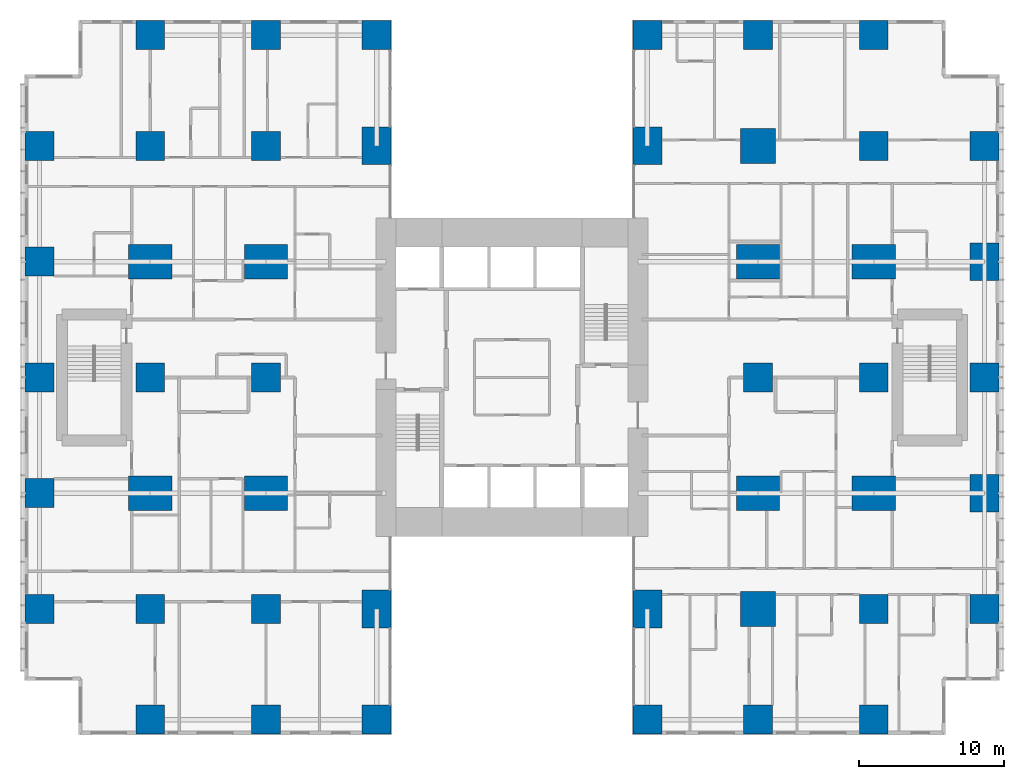
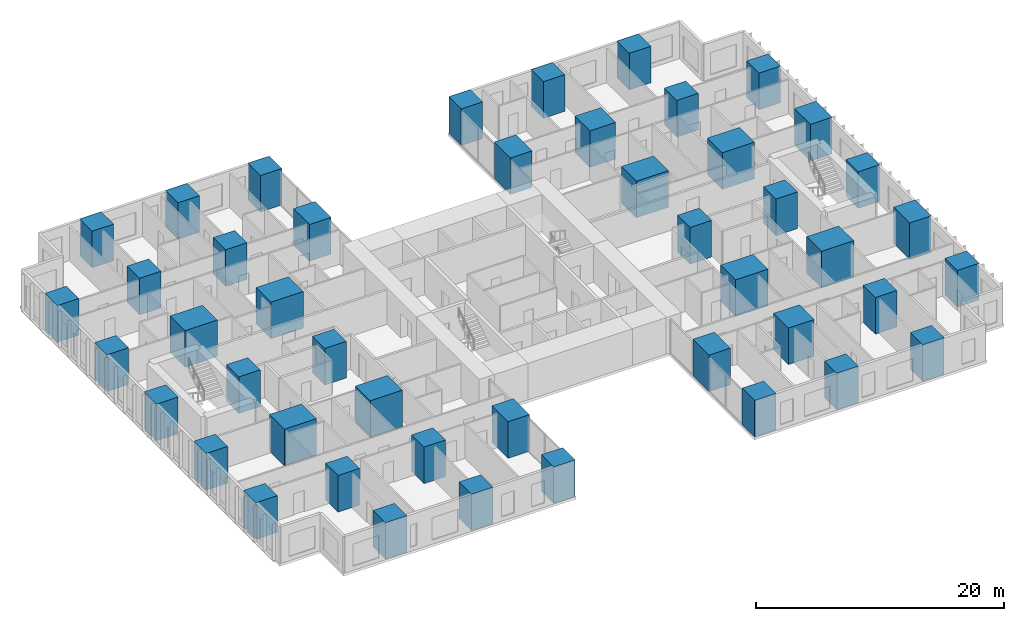
# One storey, part 1 of 21: 46 columns.
"""IFC4 building model written with IfcOpenShell, lengths in metres."""

from ifc_helpers import new_model, si_unit, direction, frame, origin, origin_2d, place, context, subcontext, project, spatial, rectangle, extrude, material, material_profile, profile_set, type_object, element, save


model = new_model("IFC4")

# Units and contexts
model_context = context("Model", 3, precision=1e-05, world=origin(), true_north=direction((0.0, 1.0)))
body_context = subcontext(model_context, "Body", "Model", "MODEL_VIEW")
ifc_project = project(units=[si_unit("LENGTHUNIT", "METRE"), si_unit("AREAUNIT", "SQUARE_METRE"), si_unit("VOLUMEUNIT", "CUBIC_METRE"), si_unit("PLANEANGLEUNIT", "RADIAN"), si_unit("MASSUNIT", "GRAM", prefix="KILO")], contexts=[model_context])

# Site, building, storey
site_placement = place(None, origin())
site = spatial("IfcSite", under=ifc_project, at=site_placement, CompositionType="ELEMENT")
building_placement = place(site_placement, origin())
building = spatial("IfcBuilding", under=site, at=building_placement, Name="Cleftline Residences", CompositionType="ELEMENT")
storey_placement = place(building_placement, frame((0.0, 0.0, 128.60009765625)))
storey = spatial("IfcBuildingStorey", under=building, at=storey_placement, Name="L33", CompositionType="ELEMENT", Elevation=128.60009765625)

# Columns
ifc_material_1 = material(Name="Concrete B70", Category="concrete")
ifc_material_profile_1 = material_profile(ifc_material_1, rectangle(XDim=2.0, YDim=2.0, at=origin_2d()))
ifc_profile_set_1 = profile_set([ifc_material_profile_1], Name="Concrete B70")
column_type_1 = type_object("IfcColumnType", Name="COLUMN RC2000X2000", PredefinedType="COLUMN", material=ifc_profile_set_1)
for number, where, z_axis, x_axis, name in (
    (1, (0.35009765625, 8.0, 0.0), (0.0, 0.0, 1.0), (1.0, 0.0, 0.0), "Column D/3"),
    (2, (0.35009765625, 16.0, 0.0), (0.0, 0.0, 1.0), (1.0, 0.0, 0.0), "Column E/3"),
    (3, (0.35009765625, 24.0, 0.0), (0.0, 0.0, 1.0), (1.0, 0.0, 0.0), "Column F/3"),
    (4, (0.35009765625, 32.0, 0.0), (0.0, 0.0, 1.0), (1.0, 0.0, 0.0), "Column G/3"),
    (5, (0.35009765625, 40.0, 0.0), (0.0, 0.0, 1.0), (1.0, 0.0, 0.0), "Column H/3"),
    (6, (8.0, 0.35009765625, 0.0), (0.0, 0.0, 1.0), (1.0, 0.0, 0.0), "Column C/4"),
    (7, (8.0, 8.0, 0.0), (0.0, 0.0, 1.0), (1.0, 0.0, 0.0), "Column D/4"),
    (8, (8.0, 24.0, 0.0), (0.0, 0.0, 1.0), (1.0, 0.0, 0.0), "Column F/4"),
    (9, (8.0, 40.0, 0.0), (0.0, 0.0, 1.0), (1.0, 0.0, 0.0), "Column H/4"),
    (10, (8.0, 47.64990234375, 0.0), (0.0, 0.0, 1.0), (1.0, 0.0, 0.0), "Column J/4"),
    (11, (16.0, 0.35009765625, 0.0), (0.0, 0.0, 1.0), (1.0, 0.0, 0.0), "Column C/5"),
    (12, (16.0, 8.0, 0.0), (0.0, 0.0, 1.0), (1.0, 0.0, 0.0), "Column D/5"),
    (13, (16.0, 24.0, 0.0), (0.0, 0.0, 1.0), (1.0, 0.0, 0.0), "Column F/5"),
    (14, (16.0, 40.0, 0.0), (0.0, 0.0, 1.0), (1.0, 0.0, 0.0), "Column H/5"),
    (15, (16.0, 47.64990234375, 0.0), (0.0, 0.0, 1.0), (1.0, 0.0, 0.0), "Column J/5"),
    (16, (23.64990234375, 0.35009765625, 0.0), (0.0, 0.0, 1.0), (1.0, 0.0, 0.0), "Column C/6"),
    (17, (23.64990234375, 47.64990234375, 0.0), (0.0, 0.0, 1.0), (1.0, 0.0, 0.0), "Column J/6"),
    (18, (42.35009765625, 0.35009765625, 0.0), (0.0, 0.0, 1.0), (1.0, 0.0, 0.0), "Column C/8"),
    (19, (42.35009765625, 47.64990234375, 0.0), (0.0, 0.0, 1.0), (1.0, 0.0, 0.0), "Column J/8"),
    (20, (50.0, 0.35009765625, 0.0), (0.0, 0.0, 1.0), (1.0, 0.0, 0.0), "Column C/9"),
    (21, (50.0, 24.0, 0.0), (0.0, 0.0, 1.0), (1.0, 0.0, 0.0), "Column F/9"),
    (22, (50.0, 47.64990234375, 0.0), (0.0, 0.0, 1.0), (1.0, 0.0, 0.0), "Column J/9"),
    (23, (58.0, 0.35009765625, 0.0), (0.0, 0.0, 1.0), (1.0, 0.0, 0.0), "Column C/10"),
    (24, (58.0, 8.0, 0.0), (0.0, 0.0, 1.0), (1.0, 0.0, 0.0), "Column D/10"),
    (25, (58.0, 24.0, 0.0), (0.0, 0.0, 1.0), (1.0, 0.0, 0.0), "Column F/10"),
    (26, (58.0, 40.0, 0.0), (0.0, 0.0, 1.0), (1.0, 0.0, 0.0), "Column H/10"),
    (27, (58.0, 47.64990234375, 0.0), (0.0, 0.0, 1.0), (1.0, 0.0, 0.0), "Column J/10"),
    (28, (65.64990234375, 8.0, 0.0), (0.0, 0.0, 1.0), (1.0, 0.0, 0.0), "Column D/11"),
    (29, (65.64990234375, 24.0, 0.0), (0.0, 0.0, 1.0), (1.0, 0.0, 0.0), "Column F/11"),
    (30, (65.64990234375, 40.0, 0.0), (0.0, 0.0, 1.0), (1.0, 0.0, 0.0), "Column H/11"),
):
    element("IfcColumn", number, at=place(storey_placement, frame(where, z_axis=z_axis, x_axis=x_axis)), inside=storey, type_object=column_type_1, Name=name, PredefinedType="COLUMN", context=body_context, shape_type="SweptSolid", body=[
        extrude(rectangle(XDim=2.0, YDim=2.0, at=origin_2d()), origin(), (0.0, 0.0, 1.0), 3.599853515625),
    ])
ifc_material_2 = material(Name="Concrete B70", Category="concrete")
ifc_material_profile_2 = material_profile(ifc_material_2, rectangle(XDim=2.0, YDim=2.60009765625, at=origin_2d()))
ifc_profile_set_2 = profile_set([ifc_material_profile_2], Name="Concrete B70")
column_type_2 = type_object("IfcColumnType", Name="COLUMN RC2000X2600", PredefinedType="COLUMN", material=ifc_profile_set_2)
for number, where, z_axis, x_axis, name in (
    (31, (23.64990234375, 8.0, 0.0), (0.0, 0.0, 1.0), (1.0, 0.0, 0.0), "Column D/6"),
    (32, (23.64990234375, 40.0, 0.0), (0.0, 0.0, 1.0), (1.0, 0.0, 0.0), "Column H/6"),
    (33, (42.35009765625, 8.0, 0.0), (0.0, 0.0, 1.0), (1.0, 0.0, 0.0), "Column D/8"),
    (34, (42.35009765625, 40.0, 0.0), (0.0, 0.0, 1.0), (1.0, 0.0, 0.0), "Column H/8"),
):
    element("IfcColumn", number, at=place(storey_placement, frame(where, z_axis=z_axis, x_axis=x_axis)), inside=storey, type_object=column_type_2, Name=name, PredefinedType="COLUMN", context=body_context, shape_type="SweptSolid", body=[
        extrude(rectangle(XDim=2.0, YDim=2.60009765625, at=origin_2d()), origin(), (0.0, 0.0, 1.0), 3.599853515625),
    ])
ifc_material_3 = material(Name="Concrete B70", Category="concrete")
ifc_material_profile_3 = material_profile(ifc_material_3, rectangle(XDim=2.39990234375, YDim=2.39990234375, at=origin_2d()))
ifc_profile_set_3 = profile_set([ifc_material_profile_3], Name="Concrete B70")
column_type_3 = type_object("IfcColumnType", Name="COLUMN RC2400X2400", PredefinedType="COLUMN", material=ifc_profile_set_3)
for number, where, z_axis, x_axis, name in (
    (35, (50.0, 8.0, 0.0), (0.0, 0.0, 1.0), (1.0, 0.0, 0.0), "Column D/9"),
    (36, (50.0, 40.0, 0.0), (0.0, 0.0, 1.0), (1.0, 0.0, 0.0), "Column H/9"),
):
    element("IfcColumn", number, at=place(storey_placement, frame(where, z_axis=z_axis, x_axis=x_axis)), inside=storey, type_object=column_type_3, Name=name, PredefinedType="COLUMN", context=body_context, shape_type="SweptSolid", body=[
        extrude(rectangle(XDim=2.39990234375, YDim=2.39990234375, at=origin_2d()), origin(), (0.0, 0.0, 1.0), 3.599853515625),
    ])
ifc_material_4 = material(Name="Concrete B70", Category="concrete")
ifc_material_profile_4 = material_profile(ifc_material_4, rectangle(XDim=2.60009765625, YDim=2.0, at=origin_2d()))
ifc_profile_set_4 = profile_set([ifc_material_profile_4], Name="Concrete B70")
column_type_4 = type_object("IfcColumnType", Name="COLUMN RC2600X2000", PredefinedType="COLUMN", material=ifc_profile_set_4)
for number, where, z_axis, x_axis, name in (
    (37, (65.64990234375, 16.0, 0.0), (0.0, 0.0, 1.0), (0.0, 1.0, 0.0), "Column E/11"),
    (38, (65.64990234375, 32.0, 0.0), (0.0, 0.0, 1.0), (0.0, 1.0, 0.0), "Column G/11"),
):
    element("IfcColumn", number, at=place(storey_placement, frame(where, z_axis=z_axis, x_axis=x_axis)), inside=storey, type_object=column_type_4, Name=name, PredefinedType="COLUMN", context=body_context, shape_type="SweptSolid", body=[
        extrude(rectangle(XDim=2.60009765625, YDim=2.0, at=origin_2d()), origin(), (0.0, 0.0, 1.0), 3.599853515625),
    ])
ifc_material_5 = material(Name="Concrete B70", Category="concrete")
ifc_material_profile_5 = material_profile(ifc_material_5, rectangle(XDim=3.0, YDim=2.39990234375, at=origin_2d()))
ifc_profile_set_5 = profile_set([ifc_material_profile_5], Name="Concrete B70")
column_type_5 = type_object("IfcColumnType", Name="COLUMN RC3000X2400", PredefinedType="COLUMN", material=ifc_profile_set_5)
for number, where, z_axis, x_axis, name in (
    (39, (8.0, 16.0, 0.0), (0.0, 0.0, 1.0), (1.0, 0.0, 0.0), "Column E/4"),
    (40, (8.0, 32.0, 0.0), (0.0, 0.0, 1.0), (1.0, 0.0, 0.0), "Column G/4"),
    (41, (16.0, 16.0, 0.0), (0.0, 0.0, 1.0), (1.0, 0.0, 0.0), "Column E/5"),
    (42, (16.0, 32.0, 0.0), (0.0, 0.0, 1.0), (1.0, 0.0, 0.0), "Column G/5"),
    (43, (50.0, 16.0, 0.0), (0.0, 0.0, 1.0), (1.0, 0.0, 0.0), "Column E/9"),
    (44, (50.0, 32.0, 0.0), (0.0, 0.0, 1.0), (1.0, 0.0, 0.0), "Column G/9"),
    (45, (58.0, 16.0, 0.0), (0.0, 0.0, 1.0), (1.0, 0.0, 0.0), "Column E/10"),
    (46, (58.0, 32.0, 0.0), (0.0, 0.0, 1.0), (1.0, 0.0, 0.0), "Column G/10"),
):
    element("IfcColumn", number, at=place(storey_placement, frame(where, z_axis=z_axis, x_axis=x_axis)), inside=storey, type_object=column_type_5, Name=name, PredefinedType="COLUMN", context=body_context, shape_type="SweptSolid", body=[
        extrude(rectangle(XDim=3.0, YDim=2.39990234375, at=origin_2d()), origin(), (0.0, 0.0, 1.0), 3.599853515625),
    ])

save(model, "model.ifc")
